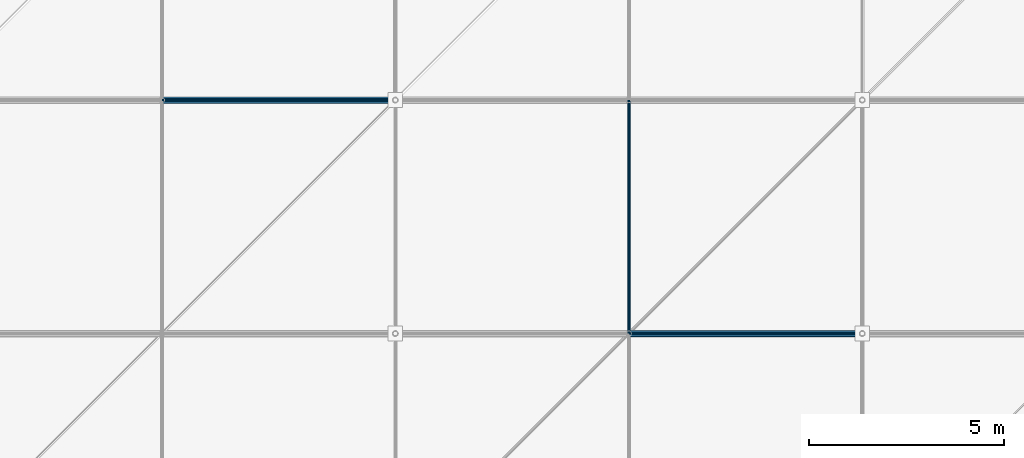
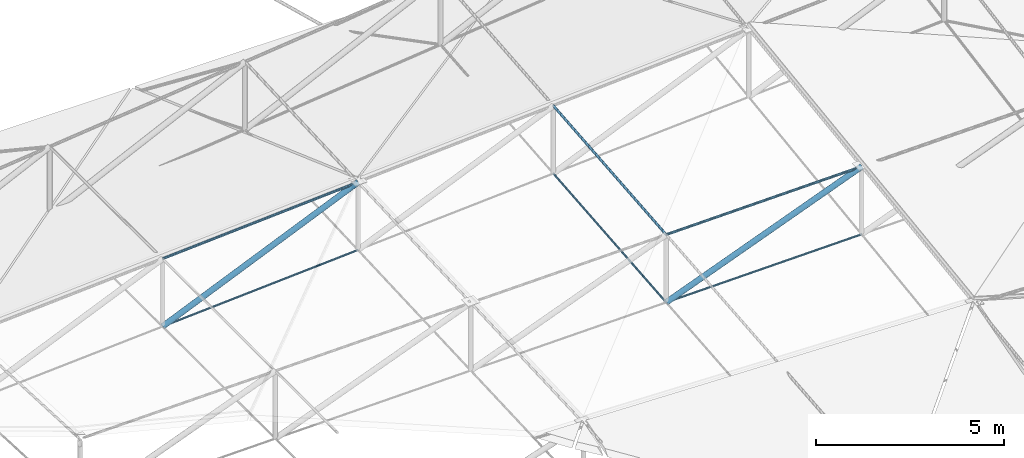
# One storey, part 38 of 132: 8 members.
"""IFC4 building model written with IfcOpenShell, lengths in metres."""

from ifc_helpers import new_model, si_unit, direction, frame, origin, origin_2d, place, context, subcontext, project, spatial, circle, hollow_circle, extrude, material, material_profile, profile_set, type_object, element, save


model = new_model("IFC4")

# Units and contexts
model_context = context("Model", 3, precision=1e-05, world=origin(), true_north=direction((0.0, 1.0)))
body_context = subcontext(model_context, "Body", "Model", "MODEL_VIEW")
ifc_project = project(units=[si_unit("LENGTHUNIT", "METRE"), si_unit("AREAUNIT", "SQUARE_METRE"), si_unit("VOLUMEUNIT", "CUBIC_METRE"), si_unit("PLANEANGLEUNIT", "RADIAN"), si_unit("MASSUNIT", "GRAM", prefix="KILO")], contexts=[model_context])

# Site, building, storey
site_placement = place(None, origin())
site = spatial("IfcSite", under=ifc_project, at=site_placement, CompositionType="ELEMENT")
building_placement = place(site_placement, origin())
building = spatial("IfcBuilding", under=site, at=building_placement, Name="Deido Ridge Mobility Hub", CompositionType="ELEMENT")
storey_placement = place(building_placement, frame((0.0, 0.0, 8.39990234375)))
storey = spatial("IfcBuildingStorey", under=building, at=storey_placement, Name="L02", CompositionType="ELEMENT", Elevation=8.39990234375)

# Members
ifc_material_1 = material(Name="Steel S460M EN 10025-4", Category="steel")
ifc_material_profile_1 = material_profile(ifc_material_1, circle(Radius=0.030029296875, at=origin_2d()), Name="CABLE D60")
ifc_profile_set_1 = profile_set([ifc_material_profile_1], Name="Steel S460M EN 10025-4")
member_type_1 = type_object("IfcMemberType", Name="MEM-CBL-D60", PredefinedType="USERDEFINED", material=ifc_profile_set_1)
member_1_placement = place(storey_placement, frame((42.0, 18.0, 2.02001953125), z_axis=(0.999831658568, 0.0, 0.018348147706), x_axis=(0.0, 1.0, 0.0)))
element("IfcMember", 1, at=member_1_placement, inside=storey, type_object=member_type_1, Name="Saddle lower stabilizing cable CB3", ObjectType="TENSION CABLE", PredefinedType="USERDEFINED", context=body_context, shape_type="SweptSolid", body=[
    extrude(circle(Radius=0.030029296875, at=origin_2d()), origin(), (0.0, 0.0, 1.0), 6.0009765625),
])
member_2_placement = place(storey_placement, frame((30.0, 24.0, 1.800048828125), z_axis=(0.997965676134, 0.0, 0.063753503887), x_axis=(0.0, 1.0, 0.0)))
element("IfcMember", 2, at=member_2_placement, inside=storey, type_object=member_type_1, Name="Saddle lower stabilizing cable CB3", ObjectType="TENSION CABLE", PredefinedType="USERDEFINED", context=body_context, shape_type="SweptSolid", body=[
    extrude(circle(Radius=0.030029296875, at=origin_2d()), origin(), (0.0, 0.0, 1.0), 6.01220703125),
])
member_3_placement = place(storey_placement, frame((42.0, 18.0, 2.02001953125), z_axis=(0.0, 0.995871921504, 0.090769576179), x_axis=(-1.0, 0.0, 0.0)))
element("IfcMember", 3, at=member_3_placement, inside=storey, type_object=member_type_1, Name="Saddle transverse valley cable CB3", ObjectType="TENSION CABLE", PredefinedType="USERDEFINED", context=body_context, shape_type="SweptSolid", body=[
    extrude(circle(Radius=0.030029296875, at=origin_2d()), origin(), (0.0, 0.0, 1.0), 6.02490234375),
])
ifc_material_profile_2 = material_profile(ifc_material_1, circle(Radius=0.0380859375, at=origin_2d()), Name="CABLE D76")
ifc_profile_set_2 = profile_set([ifc_material_profile_2], Name="Steel S460M EN 10025-4")
member_type_2 = type_object("IfcMemberType", Name="MEM-CBL-D76", PredefinedType="USERDEFINED", material=ifc_profile_set_2)
member_4_placement = place(storey_placement, frame((42.0, 18.0, 4.22021484375), z_axis=(0.999832404079, 0.0, 0.018307478102), x_axis=(0.0, 1.0, 0.0)))
element("IfcMember", 4, at=member_4_placement, inside=storey, type_object=member_type_2, Name="Saddle upper longitudinal cable CB2", ObjectType="TENSION CABLE", PredefinedType="USERDEFINED", context=body_context, shape_type="SweptSolid", body=[
    extrude(circle(Radius=0.0380859375, at=origin_2d()), origin(), (0.0, 0.0, 1.0), 6.0009765625),
])
member_5_placement = place(storey_placement, frame((30.0, 24.0, 4.0), z_axis=(0.997965676134, 0.0, 0.063753503887), x_axis=(0.0, 1.0, 0.0)))
element("IfcMember", 5, at=member_5_placement, inside=storey, type_object=member_type_2, Name="Saddle upper longitudinal cable CB2", ObjectType="TENSION CABLE", PredefinedType="USERDEFINED", context=body_context, shape_type="SweptSolid", body=[
    extrude(circle(Radius=0.0380859375, at=origin_2d()), origin(), (0.0, 0.0, 1.0), 6.01220703125),
])
member_6_placement = place(storey_placement, frame((42.0, 18.0, 4.22021484375), z_axis=(0.0, 0.9958755837, 0.090729387691), x_axis=(-1.0, 0.0, 0.0)))
element("IfcMember", 6, at=member_6_placement, inside=storey, type_object=member_type_2, Name="Saddle transverse ridge cable CB2", ObjectType="TENSION CABLE", PredefinedType="USERDEFINED", context=body_context, shape_type="SweptSolid", body=[
    extrude(circle(Radius=0.0380859375, at=origin_2d()), origin(), (0.0, 0.0, 1.0), 6.02490234375),
])
ifc_material_2 = material(Name="Steel S355J2H EN 10210-1", Category="steel")
ifc_material_profile_3 = material_profile(ifc_material_2, hollow_circle(Radius=0.084228515625, WallThickness=0.008056640625, at=origin_2d()), Name="CHS 168.3x8")
ifc_profile_set_3 = profile_set([ifc_material_profile_3], Name="Steel S355J2H EN 10210-1")
member_type_3 = type_object("IfcMemberType", Name="MEM-STR-CHS168", PredefinedType="STRUT", material=ifc_profile_set_3)
member_7_placement = place(storey_placement, frame((42.0, 18.0, 2.02001953125), z_axis=(0.933222237046, 0.0, 0.359299674761), x_axis=(0.0, 1.0, 0.0)))
element("IfcMember", 7, at=member_7_placement, inside=storey, type_object=member_type_3, Name="Saddle diagonal web strut SR1", PredefinedType="STRUT", context=body_context, shape_type="SweptSolid", body=[
    extrude(hollow_circle(Radius=0.084228515625, WallThickness=0.008056640625, at=origin_2d()), origin(), (0.0, 0.0, 1.0), 6.429443359375),
])
member_8_placement = place(storey_placement, frame((30.0, 24.0, 1.800048828125), z_axis=(0.91848843506, 0.0, 0.395447840632), x_axis=(0.0, 1.0, 0.0)))
element("IfcMember", 8, at=member_8_placement, inside=storey, type_object=member_type_3, Name="Saddle diagonal web strut SR1", PredefinedType="STRUT", context=body_context, shape_type="SweptSolid", body=[
    extrude(hollow_circle(Radius=0.084228515625, WallThickness=0.008056640625, at=origin_2d()), origin(), (0.0, 0.0, 1.0), 6.532470703125),
])

save(model, "model.ifc")
